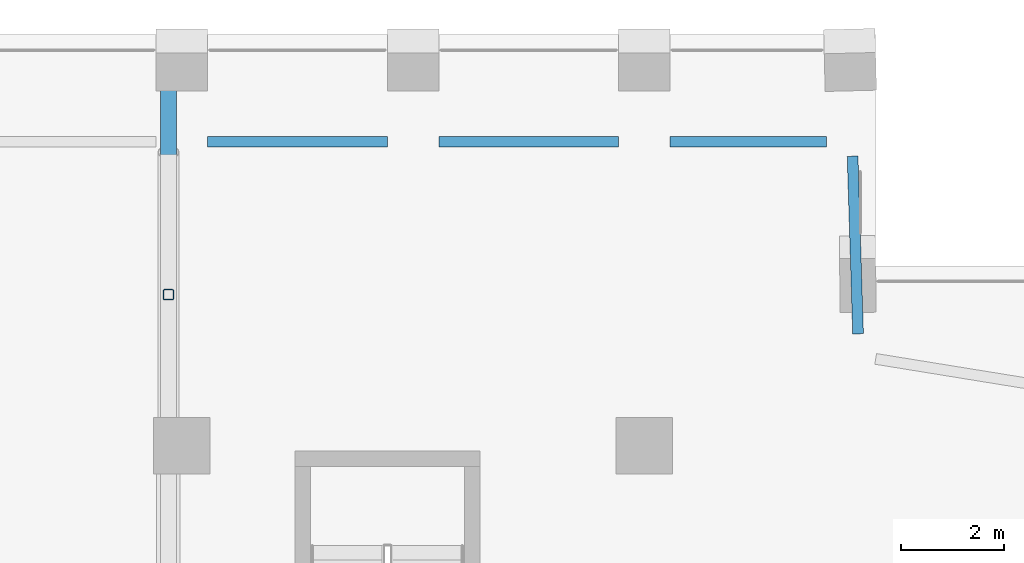
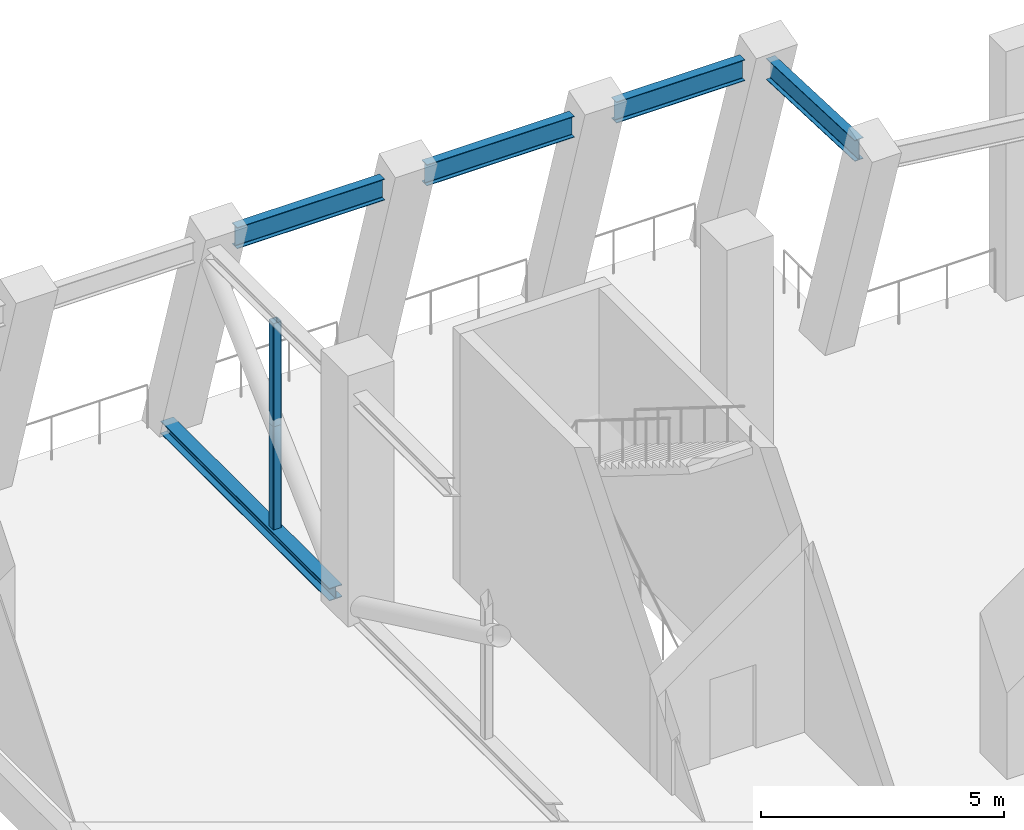
# One storey, part 8 of 14: 4 beams, 3 members.
"""IFC4 building model written with IfcOpenShell, lengths in metres."""

from ifc_helpers import new_model, si_unit, direction, frame, origin, origin_2d, place, context, subcontext, project, spatial, hollow_rectangle, i_section, extrude, material, material_profile, profile_set, type_object, element, save


model = new_model("IFC4")

# Units and contexts
model_context = context("Model", 3, precision=1e-05, world=origin(), true_north=direction((0.0, 1.0)))
body_context = subcontext(model_context, "Body", "Model", "MODEL_VIEW")
ifc_project = project(units=[si_unit("LENGTHUNIT", "METRE"), si_unit("AREAUNIT", "SQUARE_METRE"), si_unit("VOLUMEUNIT", "CUBIC_METRE"), si_unit("PLANEANGLEUNIT", "RADIAN"), si_unit("MASSUNIT", "GRAM", prefix="KILO")], contexts=[model_context])

# Site, building, storey
site_placement = place(None, origin())
site = spatial("IfcSite", under=ifc_project, at=site_placement, CompositionType="ELEMENT")
building_placement = place(site_placement, origin())
building = spatial("IfcBuilding", under=site, at=building_placement, Name="Brigalow Station Residences", CompositionType="ELEMENT")
storey_placement = place(building_placement, frame((0.0, 0.0, 185.39990234375)))
storey = spatial("IfcBuildingStorey", under=building, at=storey_placement, Name="L54", CompositionType="ELEMENT", Elevation=185.39990234375)

# Beams
ifc_material_1 = material(Name="Steel Grade 300 to AS/NZS 3679.1", Category="steel")
ifc_material_profile_1 = material_profile(ifc_material_1, i_section(OverallWidth=0.208984375, OverallDepth=0.532958984375, WebThickness=0.01025390625, FlangeThickness=0.015625, FilletRadius=0.013916015625, at=origin_2d()), Name="530UB92.4")
ifc_profile_set_1 = profile_set([ifc_material_profile_1], Name="Steel Grade 300 to AS/NZS 3679.1")
beam_type = type_object("IfcBeamType", Name="BELT GIRDER 530UB92.4", PredefinedType="USERDEFINED", material=ifc_profile_set_1)
beam_1_placement = place(storey_placement, frame((67.15869140625, 37.677734375, 5.53369140625), z_axis=(-0.030714521478, 0.999528197787, 0.0), x_axis=(-0.999528197787, -0.030714521478, 0.0)))
element("IfcBeam", 1, at=beam_1_placement, inside=storey, type_object=beam_type, Name="BELT GIRDER 16 L54", ObjectType="BELT GIRDER", PredefinedType="USERDEFINED", context=body_context, shape_type="SweptSolid", body=[
    extrude(i_section(OverallWidth=0.208984375, OverallDepth=0.532958984375, WebThickness=0.01025390625, FlangeThickness=0.015625, FilletRadius=0.013916015625, at=origin_2d()), origin(), (0.0, 0.0, 1.0), 3.457763671875),
])
beam_2_placement = place(storey_placement, frame((66.548828125, 41.415283203125, 5.53369140625), z_axis=(-1.0, 0.0, 0.0), x_axis=(0.0, -1.0, 0.0)))
element("IfcBeam", 2, at=beam_2_placement, inside=storey, type_object=beam_type, Name="BELT GIRDER 17 L54", ObjectType="BELT GIRDER", PredefinedType="USERDEFINED", context=body_context, shape_type="SweptSolid", body=[
    extrude(i_section(OverallWidth=0.208984375, OverallDepth=0.532958984375, WebThickness=0.01025390625, FlangeThickness=0.015625, FilletRadius=0.013916015625, at=origin_2d()), origin(), (0.0, 0.0, 1.0), 3.048828125),
])
for number, where, z_axis, x_axis, name in (
    (3, (62.5, 41.415283203125, 5.53369140625), (-1.0, 0.0, 0.0), (0.0, -1.0, 0.0), "BELT GIRDER 18 L54"),
    (4, (58.0, 41.415283203125, 5.53369140625), (-1.0, 0.0, 0.0), (0.0, -1.0, 0.0), "BELT GIRDER 19 L54"),
):
    element("IfcBeam", number, at=place(storey_placement, frame(where, z_axis=z_axis, x_axis=x_axis)), inside=storey, type_object=beam_type, Name=name, ObjectType="BELT GIRDER", PredefinedType="USERDEFINED", context=body_context, shape_type="SweptSolid", body=[
        extrude(i_section(OverallWidth=0.208984375, OverallDepth=0.532958984375, WebThickness=0.01025390625, FlangeThickness=0.015625, FilletRadius=0.013916015625, at=origin_2d()), origin(), (0.0, 0.0, 1.0), 3.5),
    ])

# Members
ifc_material_2 = material(Name="Steel Grade 300 to AS/NZS 3679.1", Category="steel")
ifc_material_profile_2 = material_profile(ifc_material_2, i_section(OverallWidth=0.306884765625, OverallDepth=0.314697265625, WebThickness=0.011962890625, FlangeThickness=0.018798828125, FilletRadius=0.0166015625, at=origin_2d()), Name="310UC118")
ifc_profile_set_2 = profile_set([ifc_material_profile_2], Name="Steel Grade 300 to AS/NZS 3679.1")
member_type_1 = type_object("IfcMemberType", Name="OUTRIGGER CHORD 310UC118", PredefinedType="CHORD", material=ifc_profile_set_2)
member_placement = place(storey_placement, frame((53.739990234375, 35.949951171875, 0.157470703125), z_axis=(0.0, 1.0, 0.0), x_axis=(-1.0, 0.0, 0.0)))
element("IfcMember", 5, at=member_placement, inside=storey, type_object=member_type_1, Name="OUTRIGGER CHORD E LOWER 3 L54", PredefinedType="CHORD", context=body_context, shape_type="SweptSolid", body=[
    extrude(i_section(OverallWidth=0.306884765625, OverallDepth=0.314697265625, WebThickness=0.011962890625, FlangeThickness=0.018798828125, FilletRadius=0.0166015625, at=origin_2d()), origin(), (0.0, 0.0, 1.0), 6.933837890625),
])
ifc_material_3 = material(Name="Steel Grade C450L0 to AS/NZS 1163", Category="steel")
ifc_material_profile_3 = material_profile(ifc_material_3, hollow_rectangle(XDim=0.199951171875, YDim=0.199951171875, WallThickness=0.009033203125, InnerFilletRadius=0.013427734375, OuterFilletRadius=0.0224609375, at=origin_2d()), Name="200x200x9.0SHS")
ifc_profile_set_3 = profile_set([ifc_material_profile_3], Name="Steel Grade C450L0 to AS/NZS 1163")
member_type_2 = type_object("IfcMemberType", Name="OUTRIGGER POST 200x200x9.0SHS", PredefinedType="POST", material=ifc_profile_set_3)
for number, where, z_axis, x_axis, name in (
    (6, (53.739990234375, 38.4404296875, 0.314697265625), (0.0, 0.0, 1.0), (1.0, 0.0, 0.0), "OUTRIGGER POST E3L L54"),
    (7, (53.739990234375, 38.4404296875, 2.900146484375), (0.0, 0.0, 1.0), (1.0, 0.0, 0.0), "OUTRIGGER POST E3U L54"),
):
    element("IfcMember", number, at=place(storey_placement, frame(where, z_axis=z_axis, x_axis=x_axis)), inside=storey, type_object=member_type_2, Name=name, PredefinedType="POST", context=body_context, shape_type="SweptSolid", body=[
        extrude(hollow_rectangle(XDim=0.199951171875, YDim=0.199951171875, WallThickness=0.009033203125, InnerFilletRadius=0.013427734375, OuterFilletRadius=0.0224609375, at=origin_2d()), origin(), (0.0, 0.0, 1.0), 2.58544921875),
    ])

save(model, "model.ifc")
